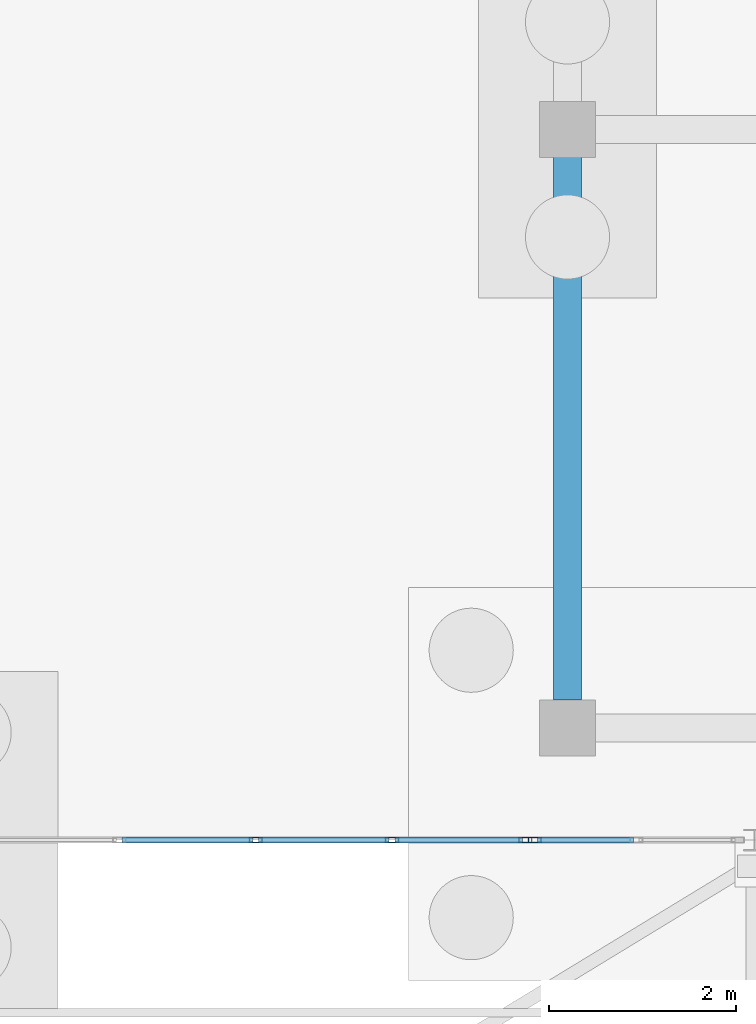
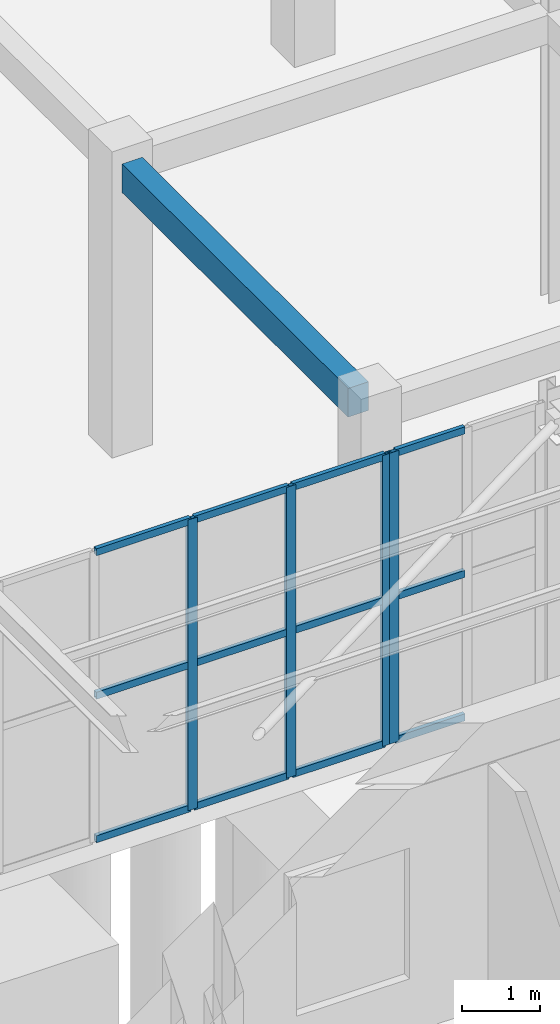
# One storey, part 68 of 192: 16 members, 1 beam, 2 elements without a shape of their own.
"""IFC4 building model written with IfcOpenShell, lengths in metres."""

from ifc_helpers import new_model, si_unit, direction, frame, origin, origin_2d, place, context, subcontext, project, spatial, rectangle, hollow_rectangle, extrude, material, layer, layer_set, material_profile, profile_set, type_object, element, aggregate, save


model = new_model("IFC4")

# Units and contexts
model_context = context("Model", 3, precision=1e-05, world=origin(), true_north=direction((0.0, 1.0)))
body_context = subcontext(model_context, "Body", "Model", "MODEL_VIEW")
ifc_project = project(units=[si_unit("LENGTHUNIT", "METRE"), si_unit("AREAUNIT", "SQUARE_METRE"), si_unit("VOLUMEUNIT", "CUBIC_METRE"), si_unit("PLANEANGLEUNIT", "RADIAN"), si_unit("MASSUNIT", "GRAM", prefix="KILO")], contexts=[model_context])

# Site, building, storey
site_placement = place(None, origin())
site = spatial("IfcSite", under=ifc_project, at=site_placement, CompositionType="ELEMENT")
building_placement = place(site_placement, origin())
building = spatial("IfcBuilding", under=site, at=building_placement, Name="Trelvath General Hospital", CompositionType="ELEMENT")
storey_placement = place(building_placement, origin())
storey = spatial("IfcBuildingStorey", under=building, at=storey_placement, Name="L00", CompositionType="ELEMENT", Elevation=0.0)

# Beam
ifc_material_1 = material(Name="Concrete C35/45", Category="concrete")
ifc_material_profile_1 = material_profile(ifc_material_1, rectangle(XDim=0.300048828125, YDim=0.449951171875, at=origin_2d()), Name="RCB300x450")
ifc_profile_set_1 = profile_set([ifc_material_profile_1], Name="Concrete C35/45")
beam_type = type_object("IfcBeamType", Name="Beam RC300x450", PredefinedType="BEAM", material=ifc_profile_set_1)
beam_placement = place(storey_placement, frame((107.199951171875, 32.2958984375, 4.3349609375), z_axis=(0.0, 1.0, 0.0), x_axis=(-1.0, 0.0, 0.0)))
element("IfcBeam", 1, at=beam_placement, inside=storey, type_object=beam_type, Name="Cube Interior Ring Beam CUBE-E-T0 L00", PredefinedType="BEAM", context=body_context, shape_type="SweptSolid", body=[
    extrude(rectangle(XDim=0.300048828125, YDim=0.449951171875, at=origin_2d()), origin(), (0.0, 0.0, 1.0), 5.80810546875),
])

# Curtain wall, members
ifc_material_2 = material(Name="Anodised aluminium and low-E glass", Category="aluminium")
ifc_layer_1 = layer(ifc_material_2, 0.139892578125)
ifc_layer_set_1 = layer_set([ifc_layer_1], Name="Anodised aluminium and low-E glass")
curtain_wall_type_1 = type_object("IfcCurtainWallType", Name="CW CrystalCube 583 456 14", PredefinedType="USERDEFINED", material=ifc_layer_set_1)
curtain_wall_1_placement = place(storey_placement, origin())
curtain_wall_1 = element("IfcCurtainWall", 2, at=curtain_wall_1_placement, inside=storey, type_object=curtain_wall_type_1, Name="Crystal Cube Curtain Wall CUBE-E-T0 S2 L00", ObjectType="Unitised Glazed Curtain Wall", PredefinedType="USERDEFINED")
ifc_material_3 = material(Name="Anodised aluminium", Category="aluminium")
ifc_material_profile_2 = material_profile(ifc_material_3, hollow_rectangle(XDim=0.06005859375, YDim=0.139892578125, WallThickness=0.00390625, at=origin_2d()), Name="RHS60x140x4")
ifc_profile_set_2 = profile_set([ifc_material_profile_2], Name="Anodised aluminium")
member_type_1 = type_object("IfcMemberType", Name="CurtainMullion 60x140", PredefinedType="MULLION", material=ifc_profile_set_2)
member_1_placement = place(storey_placement, frame((106.75, 30.800048828125, 0.0), z_axis=(0.0, 0.0, 1.0), x_axis=(0.0, -1.0, 0.0)))
member_1 = element("IfcMember", 3, at=member_1_placement, type_object=member_type_1, Name="CW-107 mullion 1", PredefinedType="MULLION", context=body_context, shape_type="SweptSolid", body=[
    extrude(hollow_rectangle(XDim=0.06005859375, YDim=0.139892578125, WallThickness=0.00390625, at=origin_2d()), origin(), (0.0, 0.0, 1.0), 4.56005859375),
])
member_2_placement = place(storey_placement, frame((105.322509765625, 30.800048828125, 0.0), z_axis=(0.0, 0.0, 1.0), x_axis=(0.0, -1.0, 0.0)))
member_2 = element("IfcMember", 4, at=member_2_placement, type_object=member_type_1, Name="CW-107 mullion 2", PredefinedType="MULLION", context=body_context, shape_type="SweptSolid", body=[
    extrude(hollow_rectangle(XDim=0.06005859375, YDim=0.139892578125, WallThickness=0.00390625, at=origin_2d()), origin(), (0.0, 0.0, 1.0), 4.56005859375),
])
member_3_placement = place(storey_placement, frame((103.864990234375, 30.800048828125, 0.0), z_axis=(0.0, 0.0, 1.0), x_axis=(0.0, -1.0, 0.0)))
member_3 = element("IfcMember", 5, at=member_3_placement, type_object=member_type_1, Name="CW-107 mullion 3", PredefinedType="MULLION", context=body_context, shape_type="SweptSolid", body=[
    extrude(hollow_rectangle(XDim=0.06005859375, YDim=0.139892578125, WallThickness=0.00390625, at=origin_2d()), origin(), (0.0, 0.0, 1.0), 4.56005859375),
])

# Curtain wall, member
ifc_material_4 = material(Name="Anodised aluminium and low-E glass", Category="aluminium")
ifc_layer_2 = layer(ifc_material_4, 0.139892578125)
ifc_layer_set_2 = layer_set([ifc_layer_2], Name="Anodised aluminium and low-E glass")
curtain_wall_type_2 = type_object("IfcCurtainWallType", Name="CW CrystalCube 223 456 14", PredefinedType="USERDEFINED", material=ifc_layer_set_2)
curtain_wall_2_placement = place(storey_placement, origin())
curtain_wall_2 = element("IfcCurtainWall", 6, at=curtain_wall_2_placement, inside=storey, type_object=curtain_wall_type_2, Name="Crystal Cube Curtain Wall CUBE-E-T0 S3 L00", ObjectType="Unitised Glazed Curtain Wall", PredefinedType="USERDEFINED")
member_4_placement = place(storey_placement, frame((106.85009765625, 30.800048828125, 0.0), z_axis=(0.0, 0.0, 1.0), x_axis=(0.0, -1.0, 0.0)))
member_4 = element("IfcMember", 7, at=member_4_placement, type_object=member_type_1, Name="CW-108 mullion 3", PredefinedType="MULLION", context=body_context, shape_type="SweptSolid", body=[
    extrude(hollow_rectangle(XDim=0.06005859375, YDim=0.139892578125, WallThickness=0.00390625, at=origin_2d()), origin(), (0.0, 0.0, 1.0), 4.56005859375),
])

# Member
ifc_material_5 = material(Name="Anodised aluminium", Category="aluminium")
ifc_material_profile_3 = material_profile(ifc_material_5, hollow_rectangle(XDim=0.06005859375, YDim=0.110107421875, WallThickness=0.00390625, at=origin_2d()), Name="RHS60x110x4")
ifc_profile_set_3 = profile_set([ifc_material_profile_3], Name="Anodised aluminium")
member_type_2 = type_object("IfcMemberType", Name="CurtainTransom 60x110", PredefinedType="USERDEFINED", material=ifc_profile_set_3)
member_5_placement = place(storey_placement, frame((106.719970703125, 30.800048828125, 0.030029296875), z_axis=(-1.0, 0.0, 0.0), x_axis=(0.0, -1.0, 0.0)))
member_5 = element("IfcMember", 8, at=member_5_placement, type_object=member_type_2, Name="CW-107 transom 1.1", ObjectType="TRANSOM", PredefinedType="USERDEFINED", context=body_context, shape_type="SweptSolid", body=[
    extrude(hollow_rectangle(XDim=0.06005859375, YDim=0.110107421875, WallThickness=0.00390625, at=origin_2d()), origin(), (0.0, 0.0, 1.0), 1.367431640625),
])

member_6_placement = place(storey_placement, frame((106.719970703125, 30.800048828125, 2.280029296875), z_axis=(-1.0, 0.0, 0.0), x_axis=(0.0, -1.0, 0.0)))
member_6 = element("IfcMember", 9, at=member_6_placement, type_object=member_type_2, Name="CW-107 transom 1.2", ObjectType="TRANSOM", PredefinedType="USERDEFINED", context=body_context, shape_type="SweptSolid", body=[
    extrude(hollow_rectangle(XDim=0.06005859375, YDim=0.110107421875, WallThickness=0.00390625, at=origin_2d()), origin(), (0.0, 0.0, 1.0), 1.367431640625),
])

member_7_placement = place(storey_placement, frame((106.719970703125, 30.800048828125, 4.530029296875), z_axis=(-1.0, 0.0, 0.0), x_axis=(0.0, -1.0, 0.0)))
member_7 = element("IfcMember", 10, at=member_7_placement, type_object=member_type_2, Name="CW-107 transom 1.3", ObjectType="TRANSOM", PredefinedType="USERDEFINED", context=body_context, shape_type="SweptSolid", body=[
    extrude(hollow_rectangle(XDim=0.06005859375, YDim=0.110107421875, WallThickness=0.00390625, at=origin_2d()), origin(), (0.0, 0.0, 1.0), 1.367431640625),
])

member_8_placement = place(storey_placement, frame((105.29248046875, 30.800048828125, 0.030029296875), z_axis=(-1.0, 0.0, 0.0), x_axis=(0.0, -1.0, 0.0)))
member_8 = element("IfcMember", 11, at=member_8_placement, type_object=member_type_2, Name="CW-107 transom 2.1", ObjectType="TRANSOM", PredefinedType="USERDEFINED", context=body_context, shape_type="SweptSolid", body=[
    extrude(hollow_rectangle(XDim=0.06005859375, YDim=0.110107421875, WallThickness=0.00390625, at=origin_2d()), origin(), (0.0, 0.0, 1.0), 1.3974609375),
])

member_9_placement = place(storey_placement, frame((105.29248046875, 30.800048828125, 2.280029296875), z_axis=(-1.0, 0.0, 0.0), x_axis=(0.0, -1.0, 0.0)))
member_9 = element("IfcMember", 12, at=member_9_placement, type_object=member_type_2, Name="CW-107 transom 2.2", ObjectType="TRANSOM", PredefinedType="USERDEFINED", context=body_context, shape_type="SweptSolid", body=[
    extrude(hollow_rectangle(XDim=0.06005859375, YDim=0.110107421875, WallThickness=0.00390625, at=origin_2d()), origin(), (0.0, 0.0, 1.0), 1.3974609375),
])

member_10_placement = place(storey_placement, frame((105.29248046875, 30.800048828125, 4.530029296875), z_axis=(-1.0, 0.0, 0.0), x_axis=(0.0, -1.0, 0.0)))
member_10 = element("IfcMember", 13, at=member_10_placement, type_object=member_type_2, Name="CW-107 transom 2.3", ObjectType="TRANSOM", PredefinedType="USERDEFINED", context=body_context, shape_type="SweptSolid", body=[
    extrude(hollow_rectangle(XDim=0.06005859375, YDim=0.110107421875, WallThickness=0.00390625, at=origin_2d()), origin(), (0.0, 0.0, 1.0), 1.3974609375),
])

member_11_placement = place(storey_placement, frame((103.8349609375, 30.800048828125, 0.030029296875), z_axis=(-1.0, 0.0, 0.0), x_axis=(0.0, -1.0, 0.0)))
member_11 = element("IfcMember", 14, at=member_11_placement, type_object=member_type_2, Name="CW-107 transom 3.1", ObjectType="TRANSOM", PredefinedType="USERDEFINED", context=body_context, shape_type="SweptSolid", body=[
    extrude(hollow_rectangle(XDim=0.06005859375, YDim=0.110107421875, WallThickness=0.00390625, at=origin_2d()), origin(), (0.0, 0.0, 1.0), 1.3974609375),
])

member_12_placement = place(storey_placement, frame((103.8349609375, 30.800048828125, 2.280029296875), z_axis=(-1.0, 0.0, 0.0), x_axis=(0.0, -1.0, 0.0)))
member_12 = element("IfcMember", 15, at=member_12_placement, type_object=member_type_2, Name="CW-107 transom 3.2", ObjectType="TRANSOM", PredefinedType="USERDEFINED", context=body_context, shape_type="SweptSolid", body=[
    extrude(hollow_rectangle(XDim=0.06005859375, YDim=0.110107421875, WallThickness=0.00390625, at=origin_2d()), origin(), (0.0, 0.0, 1.0), 1.3974609375),
])

member_13_placement = place(storey_placement, frame((103.8349609375, 30.800048828125, 4.530029296875), z_axis=(-1.0, 0.0, 0.0), x_axis=(0.0, -1.0, 0.0)))
member_13 = element("IfcMember", 16, at=member_13_placement, type_object=member_type_2, Name="CW-107 transom 3.3", ObjectType="TRANSOM", PredefinedType="USERDEFINED", context=body_context, shape_type="SweptSolid", body=[
    extrude(hollow_rectangle(XDim=0.06005859375, YDim=0.110107421875, WallThickness=0.00390625, at=origin_2d()), origin(), (0.0, 0.0, 1.0), 1.3974609375),
])

aggregate(curtain_wall_1, [member_1, member_2, member_3, member_5, member_6, member_7, member_8, member_9, member_10, member_11, member_12, member_13])

member_14_placement = place(storey_placement, frame((107.905029296875, 30.800048828125, 0.030029296875), z_axis=(-1.0, 0.0, 0.0), x_axis=(0.0, -1.0, 0.0)))
member_14 = element("IfcMember", 17, at=member_14_placement, type_object=member_type_2, Name="CW-108 transom 2.1", ObjectType="TRANSOM", PredefinedType="USERDEFINED", context=body_context, shape_type="SweptSolid", body=[
    extrude(hollow_rectangle(XDim=0.06005859375, YDim=0.110107421875, WallThickness=0.00390625, at=origin_2d()), origin(), (0.0, 0.0, 1.0), 1.025146484375),
])

member_15_placement = place(storey_placement, frame((107.905029296875, 30.800048828125, 2.280029296875), z_axis=(-1.0, 0.0, 0.0), x_axis=(0.0, -1.0, 0.0)))
member_15 = element("IfcMember", 18, at=member_15_placement, type_object=member_type_2, Name="CW-108 transom 2.2", ObjectType="TRANSOM", PredefinedType="USERDEFINED", context=body_context, shape_type="SweptSolid", body=[
    extrude(hollow_rectangle(XDim=0.06005859375, YDim=0.110107421875, WallThickness=0.00390625, at=origin_2d()), origin(), (0.0, 0.0, 1.0), 1.025146484375),
])

member_16_placement = place(storey_placement, frame((107.905029296875, 30.800048828125, 4.530029296875), z_axis=(-1.0, 0.0, 0.0), x_axis=(0.0, -1.0, 0.0)))
member_16 = element("IfcMember", 19, at=member_16_placement, type_object=member_type_2, Name="CW-108 transom 2.3", ObjectType="TRANSOM", PredefinedType="USERDEFINED", context=body_context, shape_type="SweptSolid", body=[
    extrude(hollow_rectangle(XDim=0.06005859375, YDim=0.110107421875, WallThickness=0.00390625, at=origin_2d()), origin(), (0.0, 0.0, 1.0), 1.025146484375),
])

aggregate(curtain_wall_2, [member_4, member_14, member_15, member_16])

save(model, "model.ifc")
